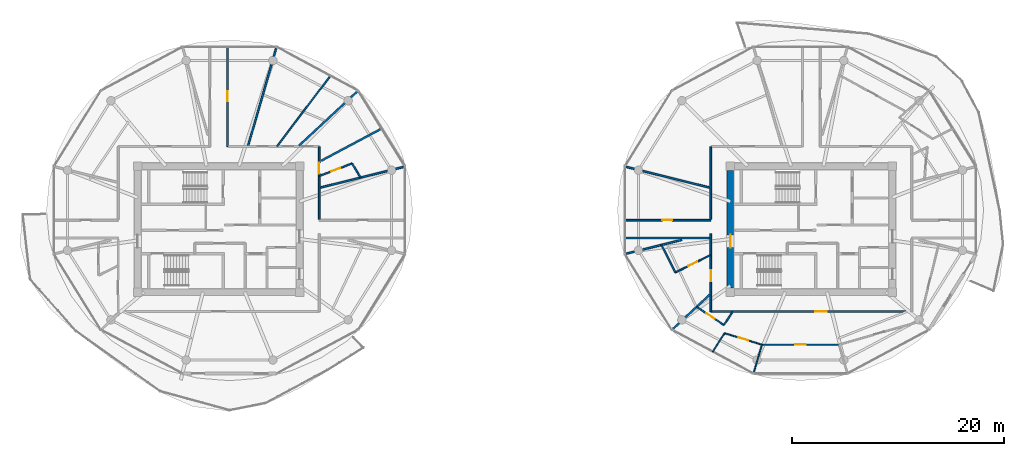
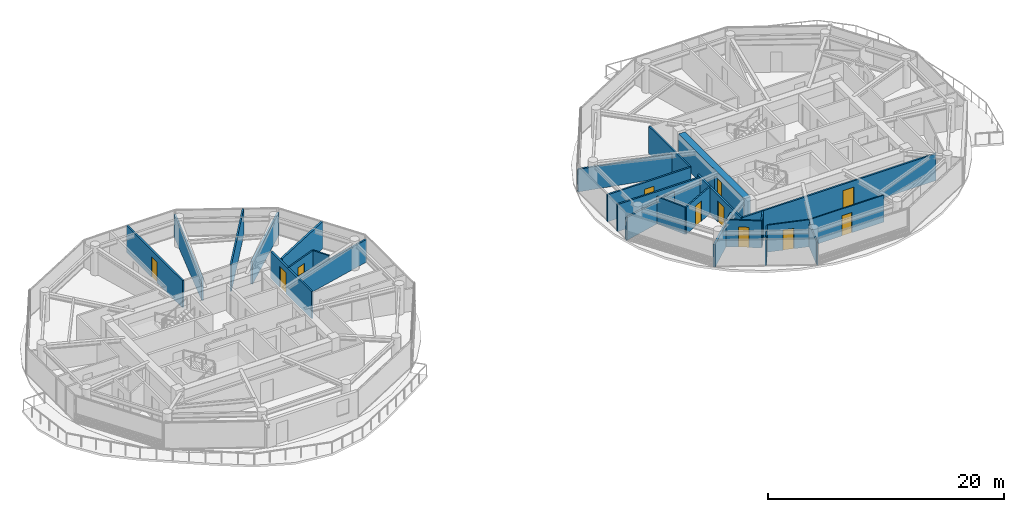
# One storey, part 14 of 22: 26 walls, 11 doors, 11 openings.
"""IFC4 building model written with IfcOpenShell, lengths in metres."""

from ifc_helpers import new_model, si_unit, direction, frame, frame_2d, origin, place, context, subcontext, project, spatial, rectangle, extrude, source, transform, mapped, material, layer, layer_set, type_object, type_shapes, element, fill, save


model = new_model("IFC4")

# Units and contexts
model_context = context("Model", 3, precision=1e-05, world=origin(), true_north=direction((0.0, 1.0)))
body_context = subcontext(model_context, "Body", "Model", "MODEL_VIEW")
ifc_project = project(units=[si_unit("LENGTHUNIT", "METRE"), si_unit("AREAUNIT", "SQUARE_METRE"), si_unit("VOLUMEUNIT", "CUBIC_METRE"), si_unit("PLANEANGLEUNIT", "RADIAN"), si_unit("MASSUNIT", "GRAM", prefix="KILO")], contexts=[model_context])

# Site, building, storey
site_placement = place(None, origin())
site = spatial("IfcSite", under=ifc_project, at=site_placement, CompositionType="ELEMENT")
building_placement = place(site_placement, origin())
building = spatial("IfcBuilding", under=site, at=building_placement, Name="Norrkilde Senior Care Towers", CompositionType="ELEMENT")
storey_placement = place(building_placement, frame((0.0, 0.0, 167.85009765625)))
storey = spatial("IfcBuildingStorey", under=building, at=storey_placement, Name="L52", CompositionType="ELEMENT", Elevation=167.85009765625)

# Wall, opening, door
ifc_material_1 = material(Name="Concrete C50/60", Category="concrete")
ifc_layer_1 = layer(ifc_material_1, 0.6201171875)
ifc_layer_set_1 = layer_set([ifc_layer_1], Name="Concrete C50/60")
wall_type_1 = type_object("IfcWallType", Name="Core Shear Wall Z3 620", PredefinedType="SHEAR", material=ifc_layer_set_1)
shared_shape_1 = source(origin(), body_context, "Body", "SweptSolid", [
    extrude(rectangle(XDim=11.10009765625, YDim=0.6201171875, at=frame_2d((5.550048828125, 0.0))), origin(), (0.0, 0.0, 1.0), 2.809814453125),
])
type_shapes(wall_type_1, [shared_shape_1])
wall_1_placement = place(storey_placement, frame((20.35009765625, -5.550048828125, 0.0), z_axis=(0.0, 0.0, 1.0), x_axis=(0.0, 1.0, 0.0)))
wall_1 = element("IfcWall", 1, at=wall_1_placement, inside=storey, type_object=wall_type_1, Name="L52 Core E West Shear Wall", PredefinedType="SHEAR", context=body_context, shape_type="MappedRepresentation", body=[
    mapped(shared_shape_1, transform((0.0, 0.0, 0.0), x_axis=(1.0, 0.0, 0.0), y_axis=(0.0, 1.0, 0.0), z_axis=(0.0, 0.0, 1.0), scale=1.0)),
])
opening_1_placement = place(wall_1_placement, frame((3.800048828125, 0.0, 0.0)))
opening_1 = element("IfcOpeningElement", 2, at=opening_1_placement, cuts=wall_1, Name="Opening D-04", PredefinedType="OPENING", context=body_context, shape_type="SweptSolid", body=[
    extrude(rectangle(XDim=1.199951171875, YDim=2.14990234375, at=frame_2d((0.60009765625, 1.074951171875))), frame((0.0, 0.320068359375, 0.0), z_axis=(0.0, -1.0, 0.0), x_axis=(1.0, 0.0, 0.0)), (0.0, 0.0, 1.0), 0.64013671875),
])
ifc_material_2 = material(Name="Galvanised Painted Steel", Category="steel")
door_type_1 = type_object("IfcDoorType", Name="Firefighting Lobby Fire Door 1200x2150", OperationType="NOTDEFINED", PredefinedType="DOOR", material=ifc_material_2)
shared_shape_2 = source(origin(), body_context, "Body", "SweptSolid", [
    extrude(rectangle(XDim=1.199951171875, YDim=2.14990234375, at=frame_2d((0.60009765625, 1.074951171875))), frame((0.0, 0.02490234375, 0.0), z_axis=(0.0, -1.0, 0.0), x_axis=(1.0, 0.0, 0.0)), (0.0, 0.0, 1.0), 0.050048828125),
])
type_shapes(door_type_1, [shared_shape_2])
door_1_placement = place(opening_1_placement, frame((1.199951171875, 0.0, 0.0), z_axis=(0.0, 0.0, 1.0), x_axis=(-1.0, 0.0, 0.0)))
door_1 = element("IfcDoor", 3, at=door_1_placement, inside=storey, type_object=door_type_1, Name="L52 Core E West Portal Door", OperationType="SINGLE_SWING_LEFT", OverallHeight=2.14990234375, OverallWidth=1.199951171875, PredefinedType="DOOR", context=body_context, shape_type="MappedRepresentation", body=[
    mapped(shared_shape_2, transform((0.0, 0.0, 0.0), x_axis=(1.0, 0.0, 0.0), y_axis=(0.0, 1.0, 0.0), z_axis=(0.0, 0.0, 1.0), scale=1.0)),
])
fill(opening_1, door_1)

# Walls
ifc_material_3 = material(Name="Gypsum Acoustic Board")
ifc_layer_2 = layer(ifc_material_3, 0.1650390625)
ifc_layer_set_2 = layer_set([ifc_layer_2], Name="Gypsum Acoustic Board")
wall_type_2 = type_object("IfcWallType", Name="Corridor Rated Partition 165", PredefinedType="PARTITIONING", material=ifc_layer_set_2)
shared_shape_3 = source(origin(), body_context, "Body", "SweptSolid", [
    extrude(rectangle(XDim=9.73046875, YDim=0.1650390625, at=frame_2d((4.865234375, 0.0))), origin(), (0.0, 0.0, 1.0), 2.344970703125),
])
wall_2_placement = place(storey_placement, frame((-25.216552734375, 7.8798828125, 0.0), z_axis=(0.0, 0.0, 1.0), x_axis=(0.27679492614, 0.960929013436, 0.0)))
element("IfcWall", 4, at=wall_2_placement, inside=storey, type_object=wall_type_2, Name="WL-INT-L52-W-DEM-02-0", PredefinedType="PARTITIONING", context=body_context, shape_type="MappedRepresentation", body=[
    mapped(shared_shape_3, transform((0.0, 0.0, 0.0), x_axis=(1.0, 0.0, 0.0), y_axis=(0.0, 1.0, 0.0), z_axis=(0.0, 0.0, 1.0), scale=1.0)),
])
ifc_layer_3 = layer(ifc_material_3, 0.18994140625)
ifc_layer_set_3 = layer_set([ifc_layer_3], Name="Gypsum Acoustic Board")
wall_type_3 = type_object("IfcWallType", Name="Unit Demising Acoustic Wall 190", PredefinedType="PARTITIONING", material=ifc_layer_set_3)
shared_shape_4 = source(origin(), body_context, "Body", "SweptSolid", [
    extrude(rectangle(XDim=7.648193359375, YDim=0.18994140625, at=frame_2d((3.82421875, 0.0))), origin(), (0.0, 0.0, 1.0), 2.344970703125),
])
wall_3_placement = place(storey_placement, frame((-20.41259765625, 7.8798828125, 0.0), z_axis=(0.0, 0.0, 1.0), x_axis=(0.732182665826, 0.681108320213, 0.0)))
element("IfcWall", 5, at=wall_3_placement, inside=storey, type_object=wall_type_3, Name="WL-INT-L52-W-DEM-01-0", PredefinedType="PARTITIONING", context=body_context, shape_type="MappedRepresentation", body=[
    mapped(shared_shape_4, transform((0.0, 0.0, 0.0), x_axis=(1.0, 0.0, 0.0), y_axis=(0.0, 1.0, 0.0), z_axis=(0.0, 0.0, 1.0), scale=1.0)),
])
shared_shape_5 = source(origin(), body_context, "Body", "SweptSolid", [
    extrude(rectangle(XDim=6.4990234375, YDim=0.18994140625, at=frame_2d((3.24951171875, 0.0))), origin(), (0.0, 0.0, 1.0), 2.794921875),
])
wall_4_placement = place(storey_placement, frame((-18.32373046875, 6.44873046875, 0.0), z_axis=(0.0, 0.0, 1.0), x_axis=(0.882715595921, 0.469907625729, 0.0)))
element("IfcWall", 6, at=wall_4_placement, inside=storey, type_object=wall_type_3, Name="WL-INT-L52-W-CMID-00", PredefinedType="PARTITIONING", context=body_context, shape_type="MappedRepresentation", body=[
    mapped(shared_shape_5, transform((0.0, 0.0, 0.0), x_axis=(1.0, 0.0, 0.0), y_axis=(0.0, 1.0, 0.0), z_axis=(0.0, 0.0, 1.0), scale=1.0)),
])

# Wall, opening, door
ifc_layer_4 = layer(ifc_material_3, 0.139892578125)
ifc_layer_set_4 = layer_set([ifc_layer_4], Name="Gypsum Acoustic Board")
wall_type_4 = type_object("IfcWallType", Name="En-suite Wet Room Wall 140", PredefinedType="PARTITIONING", material=ifc_layer_set_4)
shared_shape_6 = source(origin(), body_context, "Body", "SweptSolid", [
    extrude(rectangle(XDim=3.295166015625, YDim=0.139892578125, at=frame_2d((1.6474609375, 0.0))), origin(), (0.0, 0.0, 1.0), 2.794921875),
])
wall_5_placement = place(storey_placement, frame((-18.469970703125, 5.022705078125, 0.0), z_axis=(0.0, 0.0, 1.0), x_axis=(0.934202224769, 0.356743890258, 0.0)))
wall_5 = element("IfcWall", 7, at=wall_5_placement, inside=storey, type_object=wall_type_4, Name="WL-INT-L52-W-ES-00A", PredefinedType="PARTITIONING", context=body_context, shape_type="MappedRepresentation", body=[
    mapped(shared_shape_6, transform((0.0, 0.0, 0.0), x_axis=(1.0, 0.0, 0.0), y_axis=(0.0, 1.0, 0.0), z_axis=(0.0, 0.0, 1.0), scale=1.0)),
])
opening_2_placement = place(wall_5_placement, frame((1.1875, 0.0, 0.0)))
opening_2 = element("IfcOpeningElement", 8, at=opening_2_placement, cuts=wall_5, Name="Opening D-08", PredefinedType="OPENING", context=body_context, shape_type="SweptSolid", body=[
    extrude(rectangle(XDim=0.919921875, YDim=2.10009765625, at=frame_2d((0.4599609375, 1.050048828125))), frame((0.0, 0.079833984375, 0.0), z_axis=(0.0, -1.0, 0.0), x_axis=(1.0, 0.0, 0.0)), (0.0, 0.0, 1.0), 0.159912109375),
])
ifc_material_4 = material(Name="Nordic Ash Timber", Category="wood")
door_type_2 = type_object("IfcDoorType", Name="Accessible Wet Room Door 920x2100", OperationType="NOTDEFINED", PredefinedType="DOOR", material=ifc_material_4)
shared_shape_7 = source(origin(), body_context, "Body", "SweptSolid", [
    extrude(rectangle(XDim=0.919921875, YDim=2.10009765625, at=frame_2d((0.4599609375, 1.050048828125))), frame((0.0, 0.02490234375, 0.0), z_axis=(0.0, -1.0, 0.0), x_axis=(1.0, 0.0, 0.0)), (0.0, 0.0, 1.0), 0.050048828125),
])
type_shapes(door_type_2, [shared_shape_7])
door_2_placement = place(opening_2_placement, origin())
door_2 = element("IfcDoor", 9, at=door_2_placement, inside=storey, type_object=door_type_2, Name="L52 Care Suite 5200A Bathroom Door", OperationType="SINGLE_SWING_RIGHT", OverallHeight=2.10009765625, OverallWidth=0.919921875, PredefinedType="DOOR", context=body_context, shape_type="MappedRepresentation", body=[
    mapped(shared_shape_7, transform((0.0, 0.0, 0.0), x_axis=(1.0, 0.0, 0.0), y_axis=(0.0, 1.0, 0.0), z_axis=(0.0, 0.0, 1.0), scale=1.0)),
])
fill(opening_2, door_2)

# Wall
shared_shape_8 = source(origin(), body_context, "Body", "SweptSolid", [
    extrude(rectangle(XDim=4.926513671875, YDim=0.18994140625, at=frame_2d((2.46337890625, 0.0))), origin(), (0.0, 0.0, 1.0), 2.344970703125),
])
type_shapes(wall_type_3, [shared_shape_4, shared_shape_5, shared_shape_8])
wall_6_placement = place(storey_placement, frame((18.419921875, -6.182861328125, 0.0), z_axis=(0.0, 0.0, 1.0), x_axis=(-0.732191335987, -0.681098999783, 0.0)))
element("IfcWall", 10, at=wall_6_placement, inside=storey, type_object=wall_type_3, Name="WL-INT-L52-E-DEM-07-0", PredefinedType="PARTITIONING", context=body_context, shape_type="MappedRepresentation", body=[
    mapped(shared_shape_8, transform((0.0, 0.0, 0.0), x_axis=(1.0, 0.0, 0.0), y_axis=(0.0, 1.0, 0.0), z_axis=(0.0, 0.0, 1.0), scale=1.0)),
])

# Wall, opening, door
shared_shape_9 = source(origin(), body_context, "Body", "SweptSolid", [
    extrude(rectangle(XDim=3.706787109375, YDim=0.139892578125, at=frame_2d((1.853515625, 0.0))), origin(), (0.0, 0.0, 1.0), 2.794921875),
])
wall_7_placement = place(storey_placement, frame((18.469970703125, -2.455810546875, 0.0), z_axis=(0.0, 0.0, 1.0), x_axis=(-0.895347377717, -0.44536846904, 0.0)))
wall_7 = element("IfcWall", 11, at=wall_7_placement, inside=storey, type_object=wall_type_4, Name="WL-INT-L52-E-ES-06", PredefinedType="PARTITIONING", context=body_context, shape_type="MappedRepresentation", body=[
    mapped(shared_shape_9, transform((0.0, 0.0, 0.0), x_axis=(1.0, 0.0, 0.0), y_axis=(0.0, 1.0, 0.0), z_axis=(0.0, 0.0, 1.0), scale=1.0)),
])
opening_3_placement = place(wall_7_placement, frame((1.3935546875, 0.0, 0.0)))
opening_3 = element("IfcOpeningElement", 12, at=opening_3_placement, cuts=wall_7, Name="Opening D-08", PredefinedType="OPENING", context=body_context, shape_type="SweptSolid", body=[
    extrude(rectangle(XDim=0.919921875, YDim=2.10009765625, at=frame_2d((0.4599609375, 1.050048828125))), frame((0.0, 0.079833984375, 0.0), z_axis=(0.0, -1.0, 0.0), x_axis=(1.0, 0.0, 0.0)), (0.0, 0.0, 1.0), 0.159912109375),
])
door_3_placement = place(opening_3_placement, origin())
door_3 = element("IfcDoor", 13, at=door_3_placement, inside=storey, type_object=door_type_2, Name="L52 Studio 52C Bathroom Door", OperationType="SINGLE_SWING_RIGHT", OverallHeight=2.10009765625, OverallWidth=0.919921875, PredefinedType="DOOR", context=body_context, shape_type="MappedRepresentation", body=[
    mapped(shared_shape_7, transform((0.0, 0.0, 0.0), x_axis=(1.0, 0.0, 0.0), y_axis=(0.0, 1.0, 0.0), z_axis=(0.0, 0.0, 1.0), scale=1.0)),
])
fill(opening_3, door_3)

# Walls
shared_shape_10 = source(origin(), body_context, "Body", "SweptSolid", [
    extrude(rectangle(XDim=5.564453125, YDim=0.1650390625, at=frame_2d((2.7822265625, 0.0))), origin(), (0.0, 0.0, 1.0), 2.344970703125),
])
wall_8_placement = place(storey_placement, frame((15.76025390625, -1.02001953125, 0.0), z_axis=(0.0, 0.0, 1.0), x_axis=(-0.970315176167, -0.241843872984, 0.0)))
element("IfcWall", 14, at=wall_8_placement, inside=storey, type_object=wall_type_2, Name="WL-INT-L52-E-DEM-06-0", PredefinedType="PARTITIONING", context=body_context, shape_type="MappedRepresentation", body=[
    mapped(shared_shape_10, transform((0.0, 0.0, 0.0), x_axis=(1.0, 0.0, 0.0), y_axis=(0.0, 1.0, 0.0), z_axis=(0.0, 0.0, 1.0), scale=1.0)),
])
shared_shape_11 = source(origin(), body_context, "Body", "SweptSolid", [
    extrude(rectangle(XDim=8.305419921875, YDim=0.1650390625, at=frame_2d((4.15283203125, 0.0))), origin(), (0.0, 0.0, 1.0), 2.344970703125),
])
for number, where, z_axis, x_axis, name in (
    (15, (-18.419921875, 3.90771484375, 0.0), (0.0, 0.0, 1.0), (0.970309994378, 0.241864662175, 0.0), "WL-INT-L52-W-DEM-00-0"),
    (16, (18.419921875, 3.90771484375, 0.0), (0.0, 0.0, 1.0), (-0.970309994378, 0.241864662175, 0.0), "WL-INT-L52-E-DEM-05-0"),
):
    element("IfcWall", number, at=place(storey_placement, frame(where, z_axis=z_axis, x_axis=x_axis)), inside=storey, type_object=wall_type_2, Name=name, PredefinedType="PARTITIONING", context=body_context, shape_type="MappedRepresentation", body=[
        mapped(shared_shape_11, transform((0.0, 0.0, 0.0), x_axis=(1.0, 0.0, 0.0), y_axis=(0.0, 1.0, 0.0), z_axis=(0.0, 0.0, 1.0), scale=1.0)),
    ])

# Wall, opening, door
shared_shape_12 = source(origin(), body_context, "Body", "SweptSolid", [
    extrude(rectangle(XDim=19.0, YDim=0.1650390625, at=frame_2d((9.5, 0.0))), origin(), (0.0, 0.0, 1.0), 2.794921875),
])
wall_9_placement = place(storey_placement, frame((37.5, -7.800048828125, 0.0), z_axis=(0.0, 0.0, 1.0), x_axis=(-1.0, 0.0, 0.0)))
wall_9 = element("IfcWall", 17, at=wall_9_placement, inside=storey, type_object=wall_type_2, Name="WL-INT-L52-E-CRW-S-0", PredefinedType="PARTITIONING", context=body_context, shape_type="MappedRepresentation", body=[
    mapped(shared_shape_12, transform((0.0, 0.0, 0.0), x_axis=(1.0, 0.0, 0.0), y_axis=(0.0, 1.0, 0.0), z_axis=(0.0, 0.0, 1.0), scale=1.0)),
])
opening_4_placement = place(wall_9_placement, frame((8.061279296875, 0.0, 0.0)))
opening_4 = element("IfcOpeningElement", 18, at=opening_4_placement, cuts=wall_9, Name="Opening D-06", PredefinedType="OPENING", context=body_context, shape_type="SweptSolid", body=[
    extrude(rectangle(XDim=1.050048828125, YDim=2.14990234375, at=frame_2d((0.52490234375, 1.074951171875))), frame((0.0, 0.092529296875, 0.0), z_axis=(0.0, -1.0, 0.0), x_axis=(1.0, 0.0, 0.0)), (0.0, 0.0, 1.0), 0.18505859375),
])
door_type_3 = type_object("IfcDoorType", Name="Apartment Entrance Fire Door 1050x2150", OperationType="NOTDEFINED", PredefinedType="DOOR", material=ifc_material_4)
shared_shape_13 = source(origin(), body_context, "Body", "SweptSolid", [
    extrude(rectangle(XDim=1.050048828125, YDim=2.14990234375, at=frame_2d((0.52490234375, 1.074951171875))), frame((0.0, 0.02490234375, 0.0), z_axis=(0.0, -1.0, 0.0), x_axis=(1.0, 0.0, 0.0)), (0.0, 0.0, 1.0), 0.050048828125),
])
type_shapes(door_type_3, [shared_shape_13])
door_4_placement = place(opening_4_placement, frame((1.050048828125, 0.0, 0.0), z_axis=(0.0, 0.0, 1.0), x_axis=(-1.0, 0.0, 0.0)))
door_4 = element("IfcDoor", 19, at=door_4_placement, inside=storey, type_object=door_type_3, Name="Apartment 52D Entrance Door", OperationType="SINGLE_SWING_RIGHT", OverallHeight=2.14990234375, OverallWidth=1.050048828125, PredefinedType="DOOR", context=body_context, shape_type="MappedRepresentation", body=[
    mapped(shared_shape_13, transform((0.0, 0.0, 0.0), x_axis=(1.0, 0.0, 0.0), y_axis=(0.0, 1.0, 0.0), z_axis=(0.0, 0.0, 1.0), scale=1.0)),
])
fill(opening_4, door_4)

shared_shape_14 = source(origin(), body_context, "Body", "SweptSolid", [
    extrude(rectangle(XDim=6.880126953125, YDim=0.1650390625, at=frame_2d((3.43994140625, 0.0))), origin(), (0.0, 0.0, 1.0), 2.794921875),
])
wall_10_placement = place(storey_placement, frame((-18.5, 7.800048828125, 0.0), z_axis=(0.0, 0.0, 1.0), x_axis=(0.0, -1.0, 0.0)))
wall_10 = element("IfcWall", 20, at=wall_10_placement, inside=storey, type_object=wall_type_2, Name="WL-INT-L52-W-CRW-E-0", PredefinedType="PARTITIONING", context=body_context, shape_type="MappedRepresentation", body=[
    mapped(shared_shape_14, transform((0.0, 0.0, 0.0), x_axis=(1.0, 0.0, 0.0), y_axis=(0.0, 1.0, 0.0), z_axis=(0.0, 0.0, 1.0), scale=1.0)),
])
opening_5_placement = place(wall_10_placement, frame((1.514892578125, 0.0, 0.0)))
opening_5 = element("IfcOpeningElement", 21, at=opening_5_placement, cuts=wall_10, Name="Opening D-06", PredefinedType="OPENING", context=body_context, shape_type="SweptSolid", body=[
    extrude(rectangle(XDim=1.050048828125, YDim=2.14990234375, at=frame_2d((0.52490234375, 1.074951171875))), frame((0.0, 0.092529296875, 0.0), z_axis=(0.0, -1.0, 0.0), x_axis=(1.0, 0.0, 0.0)), (0.0, 0.0, 1.0), 0.18505859375),
])
door_5_placement = place(opening_5_placement, frame((1.050048828125, 0.0, 0.0), z_axis=(0.0, 0.0, 1.0), x_axis=(-1.0, 0.0, 0.0)))
door_5 = element("IfcDoor", 22, at=door_5_placement, inside=storey, type_object=door_type_3, Name="L52 Care Suite 5200A Entrance Door", OperationType="SINGLE_SWING_LEFT", OverallHeight=2.14990234375, OverallWidth=1.050048828125, PredefinedType="DOOR", context=body_context, shape_type="MappedRepresentation", body=[
    mapped(shared_shape_13, transform((0.0, 0.0, 0.0), x_axis=(1.0, 0.0, 0.0), y_axis=(0.0, 1.0, 0.0), z_axis=(0.0, 0.0, 1.0), scale=1.0)),
])
fill(opening_5, door_5)

# Wall
wall_11_placement = place(storey_placement, frame((18.5, 0.919921875, 0.0), z_axis=(0.0, 0.0, 1.0), x_axis=(0.0, 1.0, 0.0)))
element("IfcWall", 23, at=wall_11_placement, inside=storey, type_object=wall_type_2, Name="WL-INT-L52-E-CRW-W-1", PredefinedType="PARTITIONING", context=body_context, shape_type="MappedRepresentation", body=[
    mapped(shared_shape_14, transform((0.0, 0.0, 0.0), x_axis=(1.0, 0.0, 0.0), y_axis=(0.0, 1.0, 0.0), z_axis=(0.0, 0.0, 1.0), scale=1.0)),
])

# Wall, opening, door
shared_shape_15 = source(origin(), body_context, "Body", "SweptSolid", [
    extrude(rectangle(XDim=7.364501953125, YDim=0.1650390625, at=frame_2d((3.68212890625, 0.0))), origin(), (0.0, 0.0, 1.0), 2.794921875),
])
wall_12_placement = place(storey_placement, frame((18.5, -7.800048828125, 0.0), z_axis=(0.0, 0.0, 1.0), x_axis=(0.0, 1.0, 0.0)))
wall_12 = element("IfcWall", 24, at=wall_12_placement, inside=storey, type_object=wall_type_2, Name="WL-INT-L52-E-CRW-W-0", PredefinedType="PARTITIONING", context=body_context, shape_type="MappedRepresentation", body=[
    mapped(shared_shape_15, transform((0.0, 0.0, 0.0), x_axis=(1.0, 0.0, 0.0), y_axis=(0.0, 1.0, 0.0), z_axis=(0.0, 0.0, 1.0), scale=1.0)),
])
opening_6_placement = place(wall_12_placement, frame((2.853515625, 0.0, 0.0)))
opening_6 = element("IfcOpeningElement", 25, at=opening_6_placement, cuts=wall_12, Name="Opening D-06", PredefinedType="OPENING", context=body_context, shape_type="SweptSolid", body=[
    extrude(rectangle(XDim=1.050048828125, YDim=2.14990234375, at=frame_2d((0.52490234375, 1.074951171875))), frame((0.0, 0.092529296875, 0.0), z_axis=(0.0, -1.0, 0.0), x_axis=(1.0, 0.0, 0.0)), (0.0, 0.0, 1.0), 0.18505859375),
])
door_6_placement = place(opening_6_placement, frame((1.050048828125, 0.0, 0.0), z_axis=(0.0, 0.0, 1.0), x_axis=(-1.0, 0.0, 0.0)))
door_6 = element("IfcDoor", 26, at=door_6_placement, inside=storey, type_object=door_type_3, Name="L52 Studio 52C Entrance Door", OperationType="SINGLE_SWING_LEFT", OverallHeight=2.14990234375, OverallWidth=1.050048828125, PredefinedType="DOOR", context=body_context, shape_type="MappedRepresentation", body=[
    mapped(shared_shape_13, transform((0.0, 0.0, 0.0), x_axis=(1.0, 0.0, 0.0), y_axis=(0.0, 1.0, 0.0), z_axis=(0.0, 0.0, 1.0), scale=1.0)),
])
fill(opening_6, door_6)

shared_shape_16 = source(origin(), body_context, "Body", "SweptSolid", [
    extrude(rectangle(XDim=9.480224609375, YDim=0.1650390625, at=frame_2d((4.740234375, 0.0))), origin(), (0.0, 0.0, 1.0), 2.794921875),
])
wall_13_placement = place(storey_placement, frame((-27.159912109375, 17.2802734375, 0.0), z_axis=(0.0, 0.0, 1.0), x_axis=(0.0, -1.0, 0.0)))
wall_13 = element("IfcWall", 27, at=wall_13_placement, inside=storey, type_object=wall_type_2, Name="WL-INT-L52-W-SPK-N2-0", PredefinedType="PARTITIONING", context=body_context, shape_type="MappedRepresentation", body=[
    mapped(shared_shape_16, transform((0.0, 0.0, 0.0), x_axis=(1.0, 0.0, 0.0), y_axis=(0.0, 1.0, 0.0), z_axis=(0.0, 0.0, 1.0), scale=1.0)),
])
opening_7_placement = place(wall_13_placement, frame((4.26513671875, 0.0, 0.0)))
opening_7 = element("IfcOpeningElement", 28, at=opening_7_placement, cuts=wall_13, Name="Opening D-07", PredefinedType="OPENING", context=body_context, shape_type="SweptSolid", body=[
    extrude(rectangle(XDim=0.949951171875, YDim=2.10009765625, at=frame_2d((0.47509765625, 1.050048828125))), frame((0.0, 0.092529296875, 0.0), z_axis=(0.0, -1.0, 0.0), x_axis=(1.0, 0.0, 0.0)), (0.0, 0.0, 1.0), 0.18505859375),
])
door_type_4 = type_object("IfcDoorType", Name="Internal Suite Bedroom Door 950x2100", OperationType="NOTDEFINED", PredefinedType="DOOR", material=ifc_material_4)
shared_shape_17 = source(origin(), body_context, "Body", "SweptSolid", [
    extrude(rectangle(XDim=0.949951171875, YDim=2.10009765625, at=frame_2d((0.47509765625, 1.050048828125))), frame((0.0, 0.02490234375, 0.0), z_axis=(0.0, -1.0, 0.0), x_axis=(1.0, 0.0, 0.0)), (0.0, 0.0, 1.0), 0.050048828125),
])
type_shapes(door_type_4, [shared_shape_17])
door_7_placement = place(opening_7_placement, frame((0.949951171875, 0.0, 0.0), z_axis=(0.0, 0.0, 1.0), x_axis=(-1.0, 0.0, 0.0)))
door_7 = element("IfcDoor", 29, at=door_7_placement, inside=storey, type_object=door_type_4, Name="L52 Sun Reading Lounge 4 Door", OperationType="SINGLE_SWING_LEFT", OverallHeight=2.10009765625, OverallWidth=0.949951171875, PredefinedType="DOOR", context=body_context, shape_type="MappedRepresentation", body=[
    mapped(shared_shape_17, transform((0.0, 0.0, 0.0), x_axis=(1.0, 0.0, 0.0), y_axis=(0.0, 1.0, 0.0), z_axis=(0.0, 0.0, 1.0), scale=1.0)),
])
fill(opening_7, door_7)

shared_shape_18 = source(origin(), body_context, "Body", "SweptSolid", [
    extrude(rectangle(XDim=8.18896484375, YDim=0.1650390625, at=frame_2d((4.094482421875, 0.0))), origin(), (0.0, 0.0, 1.0), 2.794921875),
])
type_shapes(wall_type_2, [shared_shape_3, shared_shape_10, shared_shape_11, shared_shape_12, shared_shape_14, shared_shape_15, shared_shape_16, shared_shape_18])
wall_14_placement = place(storey_placement, frame((10.31103515625, 0.840087890625, 0.0), z_axis=(0.0, 0.0, 1.0), x_axis=(1.0, 0.0, 0.0)))
wall_14 = element("IfcWall", 30, at=wall_14_placement, inside=storey, type_object=wall_type_2, Name="WL-INT-L52-E-SPK-W1-0", PredefinedType="PARTITIONING", context=body_context, shape_type="MappedRepresentation", body=[
    mapped(shared_shape_18, transform((0.0, 0.0, 0.0), x_axis=(1.0, 0.0, 0.0), y_axis=(0.0, 1.0, 0.0), z_axis=(0.0, 0.0, 1.0), scale=1.0)),
])
opening_8_placement = place(wall_14_placement, frame((3.619384765625, 0.0, 0.0)))
opening_8 = element("IfcOpeningElement", 31, at=opening_8_placement, cuts=wall_14, Name="Opening D-07", PredefinedType="OPENING", context=body_context, shape_type="SweptSolid", body=[
    extrude(rectangle(XDim=0.949951171875, YDim=2.10009765625, at=frame_2d((0.47509765625, 1.050048828125))), frame((0.0, 0.092529296875, 0.0), z_axis=(0.0, -1.0, 0.0), x_axis=(1.0, 0.0, 0.0)), (0.0, 0.0, 1.0), 0.18505859375),
])
door_8_placement = place(opening_8_placement, frame((0.949951171875, 0.0, 0.0), z_axis=(0.0, 0.0, 1.0), x_axis=(-1.0, 0.0, 0.0)))
door_8 = element("IfcDoor", 32, at=door_8_placement, inside=storey, type_object=door_type_4, Name="L52 Sun Reading Lounge 2 Door", OperationType="SINGLE_SWING_LEFT", OverallHeight=2.10009765625, OverallWidth=0.949951171875, PredefinedType="DOOR", context=body_context, shape_type="MappedRepresentation", body=[
    mapped(shared_shape_17, transform((0.0, 0.0, 0.0), x_axis=(1.0, 0.0, 0.0), y_axis=(0.0, 1.0, 0.0), z_axis=(0.0, 0.0, 1.0), scale=1.0)),
])
fill(opening_8, door_8)

# Walls
wall_15_placement = place(storey_placement, frame((18.5, -0.840087890625, 0.0), z_axis=(0.0, 0.0, 1.0), x_axis=(-1.0, 0.0, 0.0)))
element("IfcWall", 33, at=wall_15_placement, inside=storey, type_object=wall_type_2, Name="WL-INT-L52-E-SPK-W2-0", PredefinedType="PARTITIONING", context=body_context, shape_type="MappedRepresentation", body=[
    mapped(shared_shape_18, transform((0.0, 0.0, 0.0), x_axis=(1.0, 0.0, 0.0), y_axis=(0.0, 1.0, 0.0), z_axis=(0.0, 0.0, 1.0), scale=1.0)),
])
shared_shape_19 = source(origin(), body_context, "Body", "SweptSolid", [
    extrude(rectangle(XDim=1.558349609375, YDim=0.139892578125, at=frame_2d((0.779296875, 0.0))), origin(), (0.0, 0.0, 1.0), 2.794921875),
])
wall_16_placement = place(storey_placement, frame((-15.3916015625, 6.1982421875, 0.0), z_axis=(0.0, 0.0, 1.0), x_axis=(0.513735221728, -0.85794878749, 0.0)))
element("IfcWall", 34, at=wall_16_placement, inside=storey, type_object=wall_type_4, Name="WL-INT-L52-W-EF-00A", PredefinedType="PARTITIONING", context=body_context, shape_type="MappedRepresentation", body=[
    mapped(shared_shape_19, transform((0.0, 0.0, 0.0), x_axis=(1.0, 0.0, 0.0), y_axis=(0.0, 1.0, 0.0), z_axis=(0.0, 0.0, 1.0), scale=1.0)),
])
shared_shape_20 = source(origin(), body_context, "Body", "SweptSolid", [
    extrude(rectangle(XDim=8.359375, YDim=0.139892578125, at=frame_2d((4.1796875, 0.0))), origin(), (0.0, 0.0, 1.0), 2.794921875),
])
wall_17_placement = place(storey_placement, frame((-22.477294921875, 7.830078125, 0.0), z_axis=(0.0, 0.0, 1.0), x_axis=(0.603265985309, 0.797540062297, 0.0)))
element("IfcWall", 35, at=wall_17_placement, inside=storey, type_object=wall_type_4, Name="WL-INT-L52-W-MID-01", PredefinedType="PARTITIONING", context=body_context, shape_type="MappedRepresentation", body=[
    mapped(shared_shape_20, transform((0.0, 0.0, 0.0), x_axis=(1.0, 0.0, 0.0), y_axis=(0.0, 1.0, 0.0), z_axis=(0.0, 0.0, 1.0), scale=1.0)),
])
shared_shape_21 = source(origin(), body_context, "Body", "SweptSolid", [
    extrude(rectangle(XDim=2.91845703125, YDim=0.139892578125, at=frame_2d((1.459228515625, 0.0))), origin(), (0.0, 0.0, 1.0), 2.794921875),
])
wall_18_placement = place(storey_placement, frame((15.151123046875, -4.106689453125, 0.0), z_axis=(0.0, 0.0, 1.0), x_axis=(-0.447146668647, 0.894460651296, 0.0)))
element("IfcWall", 36, at=wall_18_placement, inside=storey, type_object=wall_type_4, Name="WL-INT-L52-E-EF-06", PredefinedType="PARTITIONING", context=body_context, shape_type="MappedRepresentation", body=[
    mapped(shared_shape_21, transform((0.0, 0.0, 0.0), x_axis=(1.0, 0.0, 0.0), y_axis=(0.0, 1.0, 0.0), z_axis=(0.0, 0.0, 1.0), scale=1.0)),
])

# Wall, opening, door
ifc_layer_5 = layer(ifc_material_3, 0.114990234375)
ifc_layer_set_5 = layer_set([ifc_layer_5], Name="Gypsum Acoustic Board")
wall_type_5 = type_object("IfcWallType", Name="Internal Room Partition 115", PredefinedType="PARTITIONING", material=ifc_layer_set_5)
shared_shape_22 = source(origin(), body_context, "Body", "SweptSolid", [
    extrude(rectangle(XDim=7.273681640625, YDim=0.114990234375, at=frame_2d((3.63671875, 0.0))), origin(), (0.0, 0.0, 1.0), 2.794921875),
])
wall_19_placement = place(storey_placement, frame((23.338134765625, -10.923583984375, 0.0), z_axis=(0.0, 0.0, 1.0), x_axis=(1.0, 0.0, 0.0)))
wall_19 = element("IfcWall", 37, at=wall_19_placement, inside=storey, type_object=wall_type_5, Name="WL-INT-L52-E-UBC-07-1", PredefinedType="PARTITIONING", context=body_context, shape_type="MappedRepresentation", body=[
    mapped(shared_shape_22, transform((0.0, 0.0, 0.0), x_axis=(1.0, 0.0, 0.0), y_axis=(0.0, 1.0, 0.0), z_axis=(0.0, 0.0, 1.0), scale=1.0)),
])
opening_9_placement = place(wall_19_placement, frame((3.161865234375, 0.0, 0.0)))
opening_9 = element("IfcOpeningElement", 38, at=opening_9_placement, cuts=wall_19, Name="Opening D-07", PredefinedType="OPENING", context=body_context, shape_type="SweptSolid", body=[
    extrude(rectangle(XDim=0.949951171875, YDim=2.10009765625, at=frame_2d((0.47509765625, 1.050048828125))), frame((0.0, 0.0673828125, 0.0), z_axis=(0.0, -1.0, 0.0), x_axis=(1.0, 0.0, 0.0)), (0.0, 0.0, 1.0), 0.135009765625),
])
door_9_placement = place(opening_9_placement, origin())
door_9 = element("IfcDoor", 39, at=door_9_placement, inside=storey, type_object=door_type_4, Name="Apartment 52D Bedroom 1 Door", OperationType="SINGLE_SWING_LEFT", OverallHeight=2.10009765625, OverallWidth=0.949951171875, PredefinedType="DOOR", context=body_context, shape_type="MappedRepresentation", body=[
    mapped(shared_shape_17, transform((0.0, 0.0, 0.0), x_axis=(1.0, 0.0, 0.0), y_axis=(0.0, 1.0, 0.0), z_axis=(0.0, 0.0, 1.0), scale=1.0)),
])
fill(opening_9, door_9)

# Walls
shared_shape_23 = source(origin(), body_context, "Body", "SweptSolid", [
    extrude(rectangle(XDim=2.873779296875, YDim=0.114990234375, at=frame_2d((1.43701171875, 0.0))), origin(), (0.0, 0.0, 1.0), 2.344970703125),
])
wall_20_placement = place(storey_placement, frame((23.338134765625, -10.923583984375, 0.0), z_axis=(0.0, 0.0, 1.0), x_axis=(-0.283573427988, -0.958950525804, 0.0)))
element("IfcWall", 40, at=wall_20_placement, inside=storey, type_object=wall_type_5, Name="WL-INT-L52-E-UBR-07-1", PredefinedType="PARTITIONING", context=body_context, shape_type="MappedRepresentation", body=[
    mapped(shared_shape_23, transform((0.0, 0.0, 0.0), x_axis=(1.0, 0.0, 0.0), y_axis=(0.0, 1.0, 0.0), z_axis=(0.0, 0.0, 1.0), scale=1.0)),
])
shared_shape_24 = source(origin(), body_context, "Body", "SweptSolid", [
    extrude(rectangle(XDim=1.482421875, YDim=0.139892578125, at=frame_2d((0.7412109375, 0.0))), origin(), (0.0, 0.0, 1.0), 2.794921875),
])
wall_21_placement = place(storey_placement, frame((20.559814453125, -7.830078125, 0.0), z_axis=(0.0, 0.0, 1.0), x_axis=(-0.555308105158, -0.831644700786, 0.0)))
element("IfcWall", 41, at=wall_21_placement, inside=storey, type_object=wall_type_4, Name="WL-INT-L52-E-UBTS-07", PredefinedType="PARTITIONING", context=body_context, shape_type="MappedRepresentation", body=[
    mapped(shared_shape_24, transform((0.0, 0.0, 0.0), x_axis=(1.0, 0.0, 0.0), y_axis=(0.0, 1.0, 0.0), z_axis=(0.0, 0.0, 1.0), scale=1.0)),
])

# Wall, opening, door
shared_shape_25 = source(origin(), body_context, "Body", "SweptSolid", [
    extrude(rectangle(XDim=3.05078125, YDim=0.139892578125, at=frame_2d((1.525390625, 0.0))), origin(), (0.0, 0.0, 1.0), 2.794921875),
])
type_shapes(wall_type_4, [shared_shape_6, shared_shape_9, shared_shape_19, shared_shape_20, shared_shape_21, shared_shape_24, shared_shape_25])
wall_22_placement = place(storey_placement, frame((19.736572265625, -9.06298828125, 0.0), z_axis=(0.0, 0.0, 1.0), x_axis=(-0.832763694299, 0.553628602456, 0.0)))
wall_22 = element("IfcWall", 42, at=wall_22_placement, inside=storey, type_object=wall_type_4, Name="WL-INT-L52-E-UBTF-07", PredefinedType="PARTITIONING", context=body_context, shape_type="MappedRepresentation", body=[
    mapped(shared_shape_25, transform((0.0, 0.0, 0.0), x_axis=(1.0, 0.0, 0.0), y_axis=(0.0, 1.0, 0.0), z_axis=(0.0, 0.0, 1.0), scale=1.0)),
])
opening_10_placement = place(wall_22_placement, frame((1.065185546875, 0.0, 0.0)))
opening_10 = element("IfcOpeningElement", 43, at=opening_10_placement, cuts=wall_22, Name="Opening D-08", PredefinedType="OPENING", context=body_context, shape_type="SweptSolid", body=[
    extrude(rectangle(XDim=0.919921875, YDim=2.10009765625, at=frame_2d((0.4599609375, 1.050048828125))), frame((0.0, 0.079833984375, 0.0), z_axis=(0.0, -1.0, 0.0), x_axis=(1.0, 0.0, 0.0)), (0.0, 0.0, 1.0), 0.159912109375),
])
door_10_placement = place(opening_10_placement, origin())
door_10 = element("IfcDoor", 44, at=door_10_placement, inside=storey, type_object=door_type_2, Name="Apartment 52D Bathroom Door", OperationType="SINGLE_SWING_LEFT", OverallHeight=2.10009765625, OverallWidth=0.919921875, PredefinedType="DOOR", context=body_context, shape_type="MappedRepresentation", body=[
    mapped(shared_shape_7, transform((0.0, 0.0, 0.0), x_axis=(1.0, 0.0, 0.0), y_axis=(0.0, 1.0, 0.0), z_axis=(0.0, 0.0, 1.0), scale=1.0)),
])
fill(opening_10, door_10)

# Wall
shared_shape_26 = source(origin(), body_context, "Body", "SweptSolid", [
    extrude(rectangle(XDim=2.10498046875, YDim=0.114990234375, at=frame_2d((1.052490234375, 0.0))), origin(), (0.0, 0.0, 1.0), 2.794921875),
])
wall_23_placement = place(storey_placement, frame((19.807861328125, -9.83935546875, 0.0), z_axis=(0.0, 0.0, 1.0), x_axis=(-0.541542884204, -0.840673125875, 0.0)))
element("IfcWall", 45, at=wall_23_placement, inside=storey, type_object=wall_type_5, Name="WL-INT-L52-E-UKTS-07", PredefinedType="PARTITIONING", context=body_context, shape_type="MappedRepresentation", body=[
    mapped(shared_shape_26, transform((0.0, 0.0, 0.0), x_axis=(1.0, 0.0, 0.0), y_axis=(0.0, 1.0, 0.0), z_axis=(0.0, 0.0, 1.0), scale=1.0)),
])

# Wall, opening, door
shared_shape_27 = source(origin(), body_context, "Body", "SweptSolid", [
    extrude(rectangle(XDim=3.693115234375, YDim=0.114990234375, at=frame_2d((1.8466796875, 0.0))), origin(), (0.0, 0.0, 1.0), 2.794921875),
])
type_shapes(wall_type_5, [shared_shape_22, shared_shape_23, shared_shape_26, shared_shape_27])
wall_24_placement = place(storey_placement, frame((19.807861328125, -9.83935546875, 0.0), z_axis=(0.0, 0.0, 1.0), x_axis=(0.955691778506, -0.294369197599, 0.0)))
wall_24 = element("IfcWall", 46, at=wall_24_placement, inside=storey, type_object=wall_type_5, Name="WL-INT-L52-E-UKTF-07", PredefinedType="PARTITIONING", context=body_context, shape_type="MappedRepresentation", body=[
    mapped(shared_shape_27, transform((0.0, 0.0, 0.0), x_axis=(1.0, 0.0, 0.0), y_axis=(0.0, 1.0, 0.0), z_axis=(0.0, 0.0, 1.0), scale=1.0)),
])
opening_11_placement = place(wall_24_placement, frame((1.37158203125, 0.0, 0.0)))
opening_11 = element("IfcOpeningElement", 47, at=opening_11_placement, cuts=wall_24, Name="Opening D-07", PredefinedType="OPENING", context=body_context, shape_type="SweptSolid", body=[
    extrude(rectangle(XDim=0.949951171875, YDim=2.10009765625, at=frame_2d((0.47509765625, 1.050048828125))), frame((0.0, 0.0673828125, 0.0), z_axis=(0.0, -1.0, 0.0), x_axis=(1.0, 0.0, 0.0)), (0.0, 0.0, 1.0), 0.135009765625),
])
door_11_placement = place(opening_11_placement, frame((0.949951171875, 0.0, 0.0), z_axis=(0.0, 0.0, 1.0), x_axis=(-1.0, 0.0, 0.0)))
door_11 = element("IfcDoor", 48, at=door_11_placement, inside=storey, type_object=door_type_4, Name="Apartment 52D Kitchen Door", OperationType="SINGLE_SWING_RIGHT", OverallHeight=2.10009765625, OverallWidth=0.949951171875, PredefinedType="DOOR", context=body_context, shape_type="MappedRepresentation", body=[
    mapped(shared_shape_17, transform((0.0, 0.0, 0.0), x_axis=(1.0, 0.0, 0.0), y_axis=(0.0, 1.0, 0.0), z_axis=(0.0, 0.0, 1.0), scale=1.0)),
])
fill(opening_11, door_11)

save(model, "model.ifc")
